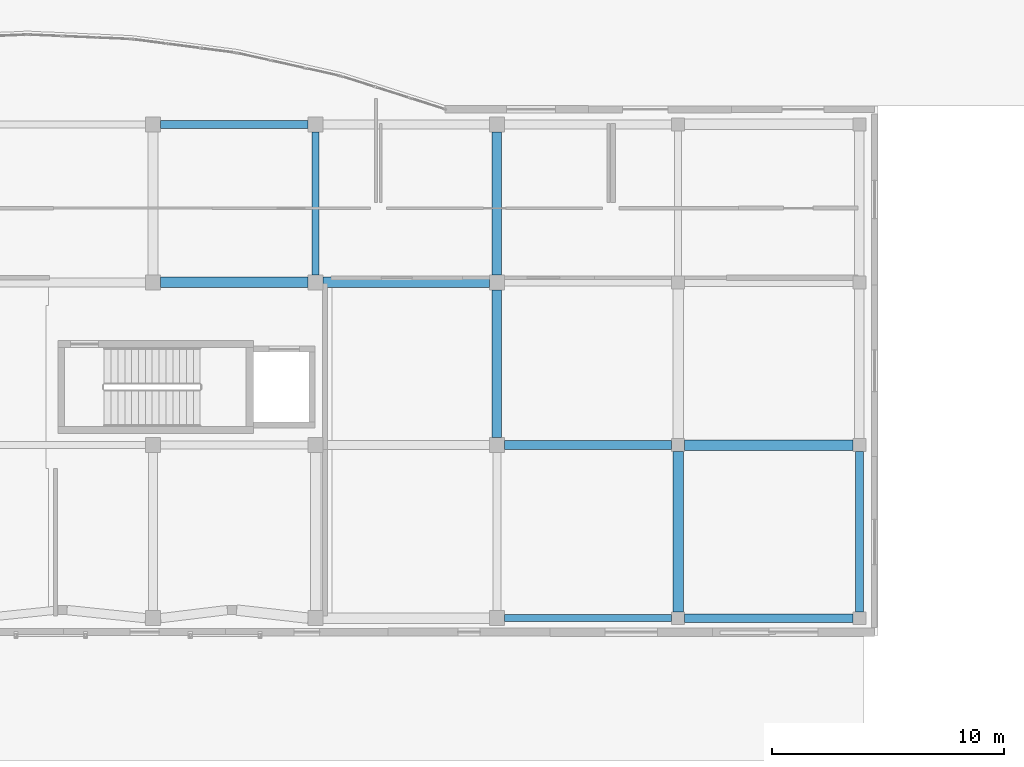
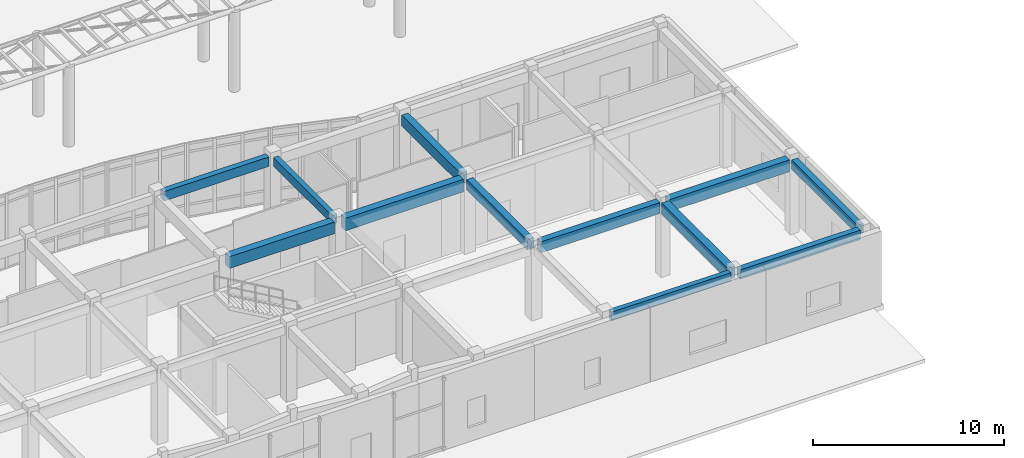
# One storey, part 34 of 121: 12 beams.
"""IFC4 building model written with IfcOpenShell, lengths in metres."""

from ifc_helpers import new_model, si_unit, direction, frame, origin, origin_2d, place, context, subcontext, project, spatial, rectangle, extrude, material, material_profile, profile_set, type_object, element, save


model = new_model("IFC4")

# Units and contexts
model_context = context("Model", 3, precision=1e-05, world=origin(), true_north=direction((0.0, 1.0)))
body_context = subcontext(model_context, "Body", "Model", "MODEL_VIEW")
ifc_project = project(units=[si_unit("LENGTHUNIT", "METRE"), si_unit("AREAUNIT", "SQUARE_METRE"), si_unit("VOLUMEUNIT", "CUBIC_METRE"), si_unit("PLANEANGLEUNIT", "RADIAN"), si_unit("MASSUNIT", "GRAM", prefix="KILO")], contexts=[model_context])

# Site, building, storey
site_placement = place(None, origin())
site = spatial("IfcSite", under=ifc_project, at=site_placement, CompositionType="ELEMENT")
building_placement = place(site_placement, origin())
building = spatial("IfcBuilding", under=site, at=building_placement, Name="Valcora Specialist Clinic", CompositionType="ELEMENT")
storey_placement = place(building_placement, origin())
storey = spatial("IfcBuildingStorey", under=building, at=storey_placement, Name="L00", CompositionType="ELEMENT", Elevation=0.0)

# Beams
ifc_material = material(Name="Concrete C40/50", Category="concrete")
ifc_material_profile_1 = material_profile(ifc_material, rectangle(XDim=0.300048828125, YDim=0.550048828125, at=origin_2d()), Name="RC-BM-300X550")
ifc_profile_set_1 = profile_set([ifc_material_profile_1], Name="Concrete C40/50")
beam_type_1 = type_object("IfcBeamType", Name="TY-BM-RC300X550", PredefinedType="BEAM", material=ifc_profile_set_1)
beam_1_placement = place(storey_placement, frame((107.52490234375, 0.75, 4.4951171875), z_axis=(1.0, 0.0, 0.0), x_axis=(0.0, 1.0, 0.0)))
element("IfcBeam", 1, at=beam_1_placement, inside=storey, type_object=beam_type_1, Name="Beam BM-L00-1231", PredefinedType="BEAM", context=body_context, shape_type="SweptSolid", body=[
    extrude(rectangle(XDim=0.300048828125, YDim=0.550048828125, at=origin_2d()), origin(), (0.0, 0.0, 1.0), 7.2001953125),
])
beam_2_placement = place(storey_placement, frame((99.39990234375, 15.52490234375, 4.4951171875), z_axis=(0.0, 1.0, 0.0), x_axis=(-1.0, 0.0, 0.0)))
element("IfcBeam", 2, at=beam_2_placement, inside=storey, type_object=beam_type_1, Name="Beam BM-L00-1277", PredefinedType="BEAM", context=body_context, shape_type="SweptSolid", body=[
    extrude(rectangle(XDim=0.300048828125, YDim=0.550048828125, at=origin_2d()), origin(), (0.0, 0.0, 1.0), 6.150146484375),
])
ifc_material_profile_2 = material_profile(ifc_material, rectangle(XDim=0.35009765625, YDim=0.60009765625, at=origin_2d()), Name="RC-BM-350X600")
ifc_profile_set_2 = profile_set([ifc_material_profile_2], Name="Concrete C40/50")
beam_type_2 = type_object("IfcBeamType", Name="TY-BM-RC350X600", PredefinedType="BEAM", material=ifc_profile_set_2)
beam_3_placement = place(storey_placement, frame((115.27490234375, 0.75, 4.469970703125), z_axis=(1.0, 0.0, 0.0), x_axis=(0.0, 1.0, 0.0)))
element("IfcBeam", 3, at=beam_3_placement, inside=storey, type_object=beam_type_2, Name="Beam BM-L00-1232", PredefinedType="BEAM", context=body_context, shape_type="SweptSolid", body=[
    extrude(rectangle(XDim=0.35009765625, YDim=0.60009765625, at=origin_2d()), origin(), (0.0, 0.0, 1.0), 7.25),
])
beam_4_placement = place(storey_placement, frame((92.72509765625, 22.0, 4.469970703125), z_axis=(1.0, 0.0, 0.0), x_axis=(0.0, 1.0, 0.0)))
element("IfcBeam", 4, at=beam_4_placement, inside=storey, type_object=beam_type_2, Name="Beam BM-L00-1256", PredefinedType="BEAM", context=body_context, shape_type="SweptSolid", body=[
    extrude(rectangle(XDim=0.35009765625, YDim=0.60009765625, at=origin_2d()), origin(), (0.0, 0.0, 1.0), 6.349853515625),
])
beam_5_placement = place(storey_placement, frame((122.800048828125, 1.02490234375, 4.469970703125), z_axis=(0.0, 1.0, 0.0), x_axis=(-1.0, 0.0, 0.0)))
element("IfcBeam", 5, at=beam_5_placement, inside=storey, type_object=beam_type_2, Name="Beam BM-L00-1284", PredefinedType="BEAM", context=body_context, shape_type="SweptSolid", body=[
    extrude(rectangle(XDim=0.35009765625, YDim=0.60009765625, at=origin_2d()), origin(), (0.0, 0.0, 1.0), 6.900146484375),
])
ifc_material_profile_3 = material_profile(ifc_material, rectangle(XDim=0.39990234375, YDim=0.64990234375, at=origin_2d()), Name="RC-BM-400X650")
ifc_profile_set_3 = profile_set([ifc_material_profile_3], Name="Concrete C40/50")
beam_type_3 = type_object("IfcBeamType", Name="TY-BM-RC400X650", PredefinedType="BEAM", material=ifc_profile_set_3)
beam_6_placement = place(storey_placement, frame((107.199951171875, 8.52490234375, 4.445068359375), z_axis=(0.0, 1.0, 0.0), x_axis=(-1.0, 0.0, 0.0)))
element("IfcBeam", 6, at=beam_6_placement, inside=storey, type_object=beam_type_3, Name="Beam BM-L00-1279", PredefinedType="BEAM", context=body_context, shape_type="SweptSolid", body=[
    extrude(rectangle(XDim=0.39990234375, YDim=0.64990234375, at=origin_2d()), origin(), (0.0, 0.0, 1.0), 6.35009765625),
])
ifc_material_profile_4 = material_profile(ifc_material, rectangle(XDim=0.39990234375, YDim=0.699951171875, at=origin_2d()), Name="RC-BM-400X700")
ifc_profile_set_4 = profile_set([ifc_material_profile_4], Name="Concrete C40/50")
beam_type_4 = type_object("IfcBeamType", Name="TY-BM-RC400X700", PredefinedType="BEAM", material=ifc_profile_set_4)
beam_7_placement = place(storey_placement, frame((107.52490234375, 8.199951171875, 4.419921875), z_axis=(1.0, 0.0, 0.0), x_axis=(0.0, 1.0, 0.0)))
element("IfcBeam", 7, at=beam_7_placement, inside=storey, type_object=beam_type_4, Name="Beam BM-L00-1240", PredefinedType="BEAM", context=body_context, shape_type="SweptSolid", body=[
    extrude(rectangle(XDim=0.39990234375, YDim=0.699951171875, at=origin_2d()), origin(), (0.0, 0.0, 1.0), 7.2001953125),
])
beam_8_placement = place(storey_placement, frame((107.199951171875, 15.52490234375, 4.419921875), z_axis=(0.0, 1.0, 0.0), x_axis=(-1.0, 0.0, 0.0)))
element("IfcBeam", 8, at=beam_8_placement, inside=storey, type_object=beam_type_4, Name="Beam BM-L00-1280", PredefinedType="BEAM", context=body_context, shape_type="SweptSolid", body=[
    extrude(rectangle(XDim=0.39990234375, YDim=0.699951171875, at=origin_2d()), origin(), (0.0, 0.0, 1.0), 6.150146484375),
])
ifc_material_profile_5 = material_profile(ifc_material, rectangle(XDim=0.449951171875, YDim=0.75, at=origin_2d()), Name="RC-BM-450X750")
ifc_profile_set_5 = profile_set([ifc_material_profile_5], Name="Concrete C40/50")
beam_type_5 = type_object("IfcBeamType", Name="TY-BM-RC450X750", PredefinedType="BEAM", material=ifc_profile_set_5)
beam_9_placement = place(storey_placement, frame((115.27490234375, 8.199951171875, 4.39501953125), z_axis=(1.0, 0.0, 0.0), x_axis=(0.0, 1.0, 0.0)))
element("IfcBeam", 9, at=beam_9_placement, inside=storey, type_object=beam_type_5, Name="Beam BM-L00-1241", PredefinedType="BEAM", context=body_context, shape_type="SweptSolid", body=[
    extrude(rectangle(XDim=0.449951171875, YDim=0.75, at=origin_2d()), origin(), (0.0, 0.0, 1.0), 7.25),
])
beam_10_placement = place(storey_placement, frame((92.72509765625, 15.199951171875, 4.39501953125), z_axis=(1.0, 0.0, 0.0), x_axis=(0.0, 1.0, 0.0)))
element("IfcBeam", 10, at=beam_10_placement, inside=storey, type_object=beam_type_5, Name="Beam BM-L00-1247", PredefinedType="BEAM", context=body_context, shape_type="SweptSolid", body=[
    extrude(rectangle(XDim=0.449951171875, YDim=0.75, at=origin_2d()), origin(), (0.0, 0.0, 1.0), 6.349853515625),
])
beam_11_placement = place(storey_placement, frame((115.0, 1.02490234375, 4.39501953125), z_axis=(0.0, 1.0, 0.0), x_axis=(-1.0, 0.0, 0.0)))
element("IfcBeam", 11, at=beam_11_placement, inside=storey, type_object=beam_type_5, Name="Beam BM-L00-1281", PredefinedType="BEAM", context=body_context, shape_type="SweptSolid", body=[
    extrude(rectangle(XDim=0.449951171875, YDim=0.75, at=origin_2d()), origin(), (0.0, 0.0, 1.0), 6.900146484375),
])
ifc_material_profile_6 = material_profile(ifc_material, rectangle(XDim=0.449951171875, YDim=0.800048828125, at=origin_2d()), Name="RC-BM-450X800")
ifc_profile_set_6 = profile_set([ifc_material_profile_6], Name="Concrete C40/50")
beam_type_6 = type_object("IfcBeamType", Name="TY-BM-RC450X800", PredefinedType="BEAM", material=ifc_profile_set_6)
beam_12_placement = place(storey_placement, frame((99.72509765625, 15.199951171875, 4.3701171875), z_axis=(1.0, 0.0, 0.0), x_axis=(0.0, 1.0, 0.0)))
element("IfcBeam", 12, at=beam_12_placement, inside=storey, type_object=beam_type_6, Name="Beam BM-L00-1248", PredefinedType="BEAM", context=body_context, shape_type="SweptSolid", body=[
    extrude(rectangle(XDim=0.449951171875, YDim=0.800048828125, at=origin_2d()), origin(), (0.0, 0.0, 1.0), 7.14990234375),
])

save(model, "model.ifc")
